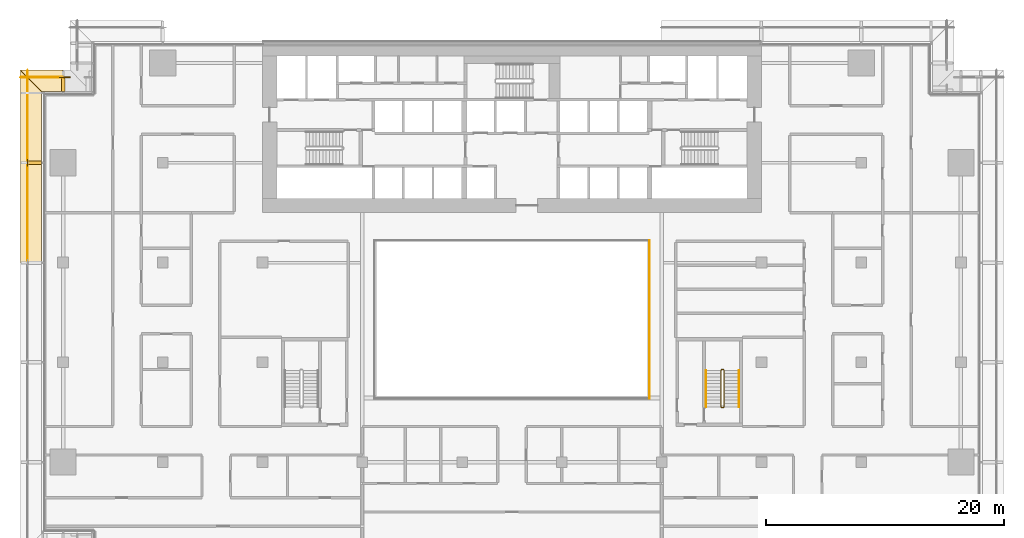
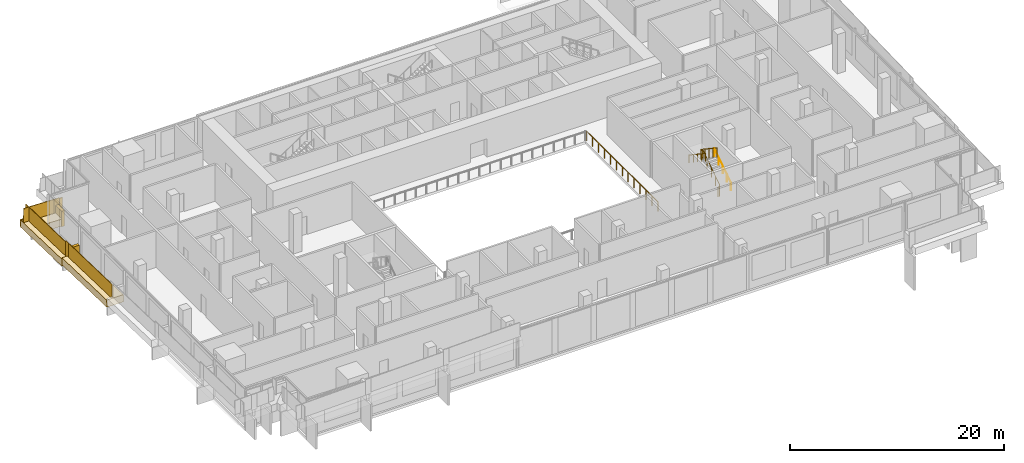
# One storey, part 21 of 23: 10 railings, 5 coverings.
"""IFC4 building model written with IfcOpenShell, lengths in metres."""

from ifc_helpers import new_model, si_unit, direction, frame, origin, origin_2d, place, context, subcontext, project, spatial, polyline, rectangle, circle, outline, extrude, material, layer, layer_set, type_object, element, save


model = new_model("IFC4")

# Units and contexts
model_context = context("Model", 3, precision=1e-05, world=origin(), true_north=direction((0.0, 1.0)))
body_context = subcontext(model_context, "Body", "Model", "MODEL_VIEW")
ifc_project = project(units=[si_unit("LENGTHUNIT", "METRE"), si_unit("AREAUNIT", "SQUARE_METRE"), si_unit("VOLUMEUNIT", "CUBIC_METRE"), si_unit("PLANEANGLEUNIT", "RADIAN"), si_unit("MASSUNIT", "GRAM", prefix="KILO")], contexts=[model_context])

# Site, building, storey
site_placement = place(None, origin())
site = spatial("IfcSite", under=ifc_project, at=site_placement, CompositionType="ELEMENT")
building_placement = place(site_placement, origin())
building = spatial("IfcBuilding", under=site, at=building_placement, Name="Saffron Gate Tower", CompositionType="ELEMENT")
storey_placement = place(building_placement, frame((0.0, 0.0, 23.699951171875)))
storey = spatial("IfcBuildingStorey", under=building, at=storey_placement, Name="L04", CompositionType="ELEMENT", Elevation=23.699951171875)

# Railings
ifc_material_1 = material(Name="Stainless steel and laminated glass", Category="steel")
railing_type_1 = type_object("IfcRailingType", Name="AG1 Atrium edge guard 1100", PredefinedType="GUARDRAIL", material=ifc_material_1)
railing_1_placement = place(storey_placement, frame((99.179931640625, 58.860107421875, 0.0)))
element("IfcRailing", 1, at=railing_1_placement, inside=storey, type_object=railing_type_1, Name="Guard S2-3", PredefinedType="GUARDRAIL", context=body_context, shape_type="SweptSolid", body=[
    extrude(circle(Radius=0.02392578125, at=origin_2d()), frame((0.0, 0.0, 1.076171875), z_axis=(0.0, -1.0, 0.0), x_axis=(1.0, 0.0, 0.0)), (0.0, 0.0, 1.0), 13.320068359375),
    extrude(circle(Radius=0.02099609375, at=origin_2d()), origin(), (0.0, 0.0, 1.0), 1.052001953125),
    extrude(circle(Radius=0.02099609375, at=origin_2d()), frame((0.0, -1.110107421875, 0.0)), (0.0, 0.0, 1.0), 1.052001953125),
    extrude(circle(Radius=0.02099609375, at=origin_2d()), frame((0.0, -2.219970703125, 0.0)), (0.0, 0.0, 1.0), 1.052001953125),
    extrude(circle(Radius=0.02099609375, at=origin_2d()), frame((0.0, -3.330078125, 0.0)), (0.0, 0.0, 1.0), 1.052001953125),
    extrude(circle(Radius=0.02099609375, at=origin_2d()), frame((0.0, -4.43994140625, 0.0)), (0.0, 0.0, 1.0), 1.052001953125),
    extrude(circle(Radius=0.02099609375, at=origin_2d()), frame((0.0, -5.550048828125, 0.0)), (0.0, 0.0, 1.0), 1.052001953125),
    extrude(circle(Radius=0.02099609375, at=origin_2d()), frame((0.0, -6.66015625, 0.0)), (0.0, 0.0, 1.0), 1.052001953125),
    extrude(circle(Radius=0.02099609375, at=origin_2d()), frame((0.0, -7.77001953125, 0.0)), (0.0, 0.0, 1.0), 1.052001953125),
    extrude(circle(Radius=0.02099609375, at=origin_2d()), frame((0.0, -8.880126953125, 0.0)), (0.0, 0.0, 1.0), 1.052001953125),
    extrude(circle(Radius=0.02099609375, at=origin_2d()), frame((0.0, -9.989990234375, 0.0)), (0.0, 0.0, 1.0), 1.052001953125),
    extrude(circle(Radius=0.02099609375, at=origin_2d()), frame((0.0, -11.10009765625, 0.0)), (0.0, 0.0, 1.0), 1.052001953125),
    extrude(circle(Radius=0.02099609375, at=origin_2d()), frame((0.0, -12.2099609375, 0.0)), (0.0, 0.0, 1.0), 1.052001953125),
    extrude(circle(Radius=0.02099609375, at=origin_2d()), frame((0.0, -13.320068359375, 0.0)), (0.0, 0.0, 1.0), 1.052001953125),
])
railing_type_2 = type_object("IfcRailingType", Name="CR1 Stair guard 1100", PredefinedType="GUARDRAIL", material=ifc_material_1)
railing_2_placement = place(storey_placement, frame((105.25, 44.800048828125, 0.0)))
element("IfcRailing", 2, at=railing_2_placement, inside=storey, type_object=railing_type_2, Name="L04 ST-E stair guard 1", PredefinedType="GUARDRAIL", context=body_context, shape_type="SweptSolid", body=[
    extrude(circle(Radius=0.02392578125, at=origin_2d()), frame((0.0, 0.0, 1.076171875), z_axis=(1.0, 0.0, 0.0), x_axis=(0.0, 1.0, 0.0)), (0.0, 0.0, 1.0), 0.14990234375),
    extrude(circle(Radius=0.02392578125, at=origin_2d()), frame((0.14990234375, 0.0, 1.076171875), z_axis=(0.249726431254, 0.249726431254, 0.935560483917), x_axis=(-0.707106781187, 0.707106781187, 0.0)), (0.0, 0.0, 1.0), 0.200439453125),
    extrude(circle(Radius=0.02392578125, at=origin_2d()), frame((0.199951171875, 0.050048828125, 1.263671875), z_axis=(0.0, 0.830893310487, 0.556431762742), x_axis=(-1.0, 0.0, 0.0)), (0.0, 0.0, 1.0), 3.70654296875),
    extrude(circle(Radius=0.02392578125, at=origin_2d()), frame((0.199951171875, 3.1298828125, 3.326171875), z_axis=(-0.707106781187, 0.707106781187, 0.0), x_axis=(-0.707106781187, -0.707106781187, 0.0)), (0.0, 0.0, 1.0), 0.07080078125),
    extrude(circle(Radius=0.02392578125, at=origin_2d()), frame((0.14990234375, 3.179931640625, 3.326171875), z_axis=(-1.0, 0.0, 0.0), x_axis=(0.0, -1.0, 0.0)), (0.0, 0.0, 1.0), 0.14990234375),
    extrude(circle(Radius=0.02392578125, at=origin_2d()), frame((0.0, 3.179931640625, 3.326171875), z_axis=(-0.249726431254, -0.249726431254, 0.935560483917), x_axis=(0.707106781187, -0.707106781187, 0.0)), (0.0, 0.0, 1.0), 0.200439453125),
    extrude(circle(Radius=0.02392578125, at=origin_2d()), frame((-0.050048828125, 3.1298828125, 3.513671875), z_axis=(0.0, -0.830893310487, 0.556431762742), x_axis=(1.0, 0.0, 0.0)), (0.0, 0.0, 1.0), 3.70654296875),
    extrude(circle(Radius=0.02099609375, at=origin_2d()), origin(), (0.0, 0.0, 1.0), 1.052001953125),
    extrude(circle(Radius=0.02099609375, at=origin_2d()), frame((0.14990234375, 0.0, 0.0)), (0.0, 0.0, 1.0), 1.052001953125),
    extrude(circle(Radius=0.02099609375, at=origin_2d()), frame((0.199951171875, 0.050048828125, 0.1875)), (0.0, 0.0, 1.0), 1.052001953125),
    extrude(circle(Radius=0.02099609375, at=origin_2d()), frame((0.199951171875, 0.820068359375, 0.703125)), (0.0, 0.0, 1.0), 1.052001953125),
    extrude(circle(Radius=0.02099609375, at=origin_2d()), frame((0.199951171875, 1.58984375, 1.21875)), (0.0, 0.0, 1.0), 1.052001953125),
    extrude(circle(Radius=0.02099609375, at=origin_2d()), frame((0.199951171875, 2.35986328125, 1.734375)), (0.0, 0.0, 1.0), 1.052001953125),
    extrude(circle(Radius=0.02099609375, at=origin_2d()), frame((0.199951171875, 3.1298828125, 2.25)), (0.0, 0.0, 1.0), 1.052001953125),
    extrude(circle(Radius=0.02099609375, at=origin_2d()), frame((0.14990234375, 3.179931640625, 2.25)), (0.0, 0.0, 1.0), 1.052001953125),
    extrude(circle(Radius=0.02099609375, at=origin_2d()), frame((0.0, 3.179931640625, 2.25)), (0.0, 0.0, 1.0), 1.052001953125),
    extrude(circle(Radius=0.02099609375, at=origin_2d()), frame((-0.050048828125, 3.1298828125, 2.4375)), (0.0, 0.0, 1.0), 1.052001953125),
    extrude(circle(Radius=0.02099609375, at=origin_2d()), frame((-0.050048828125, 2.35986328125, 2.953125)), (0.0, 0.0, 1.0), 1.052001953125),
    extrude(circle(Radius=0.02099609375, at=origin_2d()), frame((-0.050048828125, 1.58984375, 3.46875)), (0.0, 0.0, 1.0), 1.052001953125),
    extrude(circle(Radius=0.02099609375, at=origin_2d()), frame((-0.050048828125, 0.820068359375, 3.984375)), (0.0, 0.0, 1.0), 1.052001953125),
    extrude(circle(Radius=0.02099609375, at=origin_2d()), frame((-0.050048828125, 0.050048828125, 4.5)), (0.0, 0.0, 1.0), 1.052001953125),
])
ifc_material_2 = material(Name="Stainless steel", Category="steel")
railing_type_3 = type_object("IfcRailingType", Name="CR2 Stair handrail 900", PredefinedType="HANDRAIL", material=ifc_material_2)
railing_3_placement = place(storey_placement, frame((106.699951171875, 44.85009765625, 0.1875)))
element("IfcRailing", 3, at=railing_3_placement, inside=storey, type_object=railing_type_3, Name="L04 ST-E stair handrail 1", PredefinedType="HANDRAIL", context=body_context, shape_type="SweptSolid", body=[
    extrude(circle(Radius=0.02392578125, at=origin_2d()), frame((0.0, 0.0, 0.8759765625), z_axis=(0.0, 0.830893310487, 0.556431762742), x_axis=(-1.0, 0.0, 0.0)), (0.0, 0.0, 1.0), 3.70654296875),
    extrude(circle(Radius=0.02099609375, at=origin_2d()), origin(), (0.0, 0.0, 1.0), 0.851806640625),
    extrude(circle(Radius=0.02099609375, at=origin_2d()), frame((0.0, 0.77001953125, 0.515625)), (0.0, 0.0, 1.0), 0.851806640625),
    extrude(circle(Radius=0.02099609375, at=origin_2d()), frame((0.0, 1.5400390625, 1.03125)), (0.0, 0.0, 1.0), 0.851806640625),
    extrude(circle(Radius=0.02099609375, at=origin_2d()), frame((0.0, 2.309814453125, 1.546875)), (0.0, 0.0, 1.0), 0.851806640625),
    extrude(circle(Radius=0.02099609375, at=origin_2d()), frame((0.0, 3.079833984375, 2.0625)), (0.0, 0.0, 1.0), 0.851806640625),
])
railing_4_placement = place(storey_placement, frame((103.949951171875, 47.929931640625, 2.4375)))
element("IfcRailing", 4, at=railing_4_placement, inside=storey, type_object=railing_type_3, Name="L04 ST-E stair handrail 2", PredefinedType="HANDRAIL", context=body_context, shape_type="SweptSolid", body=[
    extrude(circle(Radius=0.02392578125, at=origin_2d()), frame((0.0, 0.0, 0.8759765625), z_axis=(0.0, -0.830893310487, 0.556431762742), x_axis=(1.0, 0.0, 0.0)), (0.0, 0.0, 1.0), 3.70654296875),
    extrude(circle(Radius=0.02099609375, at=origin_2d()), origin(), (0.0, 0.0, 1.0), 0.851806640625),
    extrude(circle(Radius=0.02099609375, at=origin_2d()), frame((0.0, -0.77001953125, 0.515625)), (0.0, 0.0, 1.0), 0.851806640625),
    extrude(circle(Radius=0.02099609375, at=origin_2d()), frame((0.0, -1.5400390625, 1.03125)), (0.0, 0.0, 1.0), 0.851806640625),
    extrude(circle(Radius=0.02099609375, at=origin_2d()), frame((0.0, -2.309814453125, 1.546875)), (0.0, 0.0, 1.0), 0.851806640625),
    extrude(circle(Radius=0.02099609375, at=origin_2d()), frame((0.0, -3.079833984375, 2.0625)), (0.0, 0.0, 1.0), 0.851806640625),
])

# Coverings
ifc_material_3 = material(Name="Timber, thermally modified ash", Category="wood")
ifc_layer_1 = layer(ifc_material_3, 0.800048828125)
ifc_layer_set_1 = layer_set([ifc_layer_1], Name="LD1 ledge timber")
covering_type_1 = type_object("IfcCoveringType", Name="LD1 ledge timber", PredefinedType="CLADDING", material=ifc_layer_set_1)
covering_1_placement = place(storey_placement, frame((49.800048828125, 71.39990234375, 0.75927734375), z_axis=(0.028831989003, 4.5191205e-05, 0.999584270769), x_axis=(-0.999584271789, -2.041e-09, 0.028831989032)))
element("IfcCovering", 5, at=covering_1_placement, inside=storey, type_object=covering_type_1, Name="LEDGE", PredefinedType="CLADDING", context=body_context, shape_type="SweptSolid", body=[
    extrude(outline(polyline([(0.0, 0.0), (1.8007998167885757, 0.0), (3.6015925908427215, -1.800048837315338), (-3.6746077267916745e-09, -1.80004882628693), (0.0, 0.0)])), origin(), (0.0, 0.0, -1.0), 0.800048828125),
])
covering_2_placement = place(storey_placement, frame((48.0, 71.39990234375, 0.86083984375), z_axis=(-3.5027307e-05, 0.028807146299, 0.99958498743), x_axis=(-3.68e-10, -0.999584988043, 0.028807146316)))
element("IfcCovering", 6, at=covering_2_placement, inside=storey, type_object=covering_type_1, Name="LEDGE", PredefinedType="CLADDING", context=body_context, shape_type="SweptSolid", body=[
    extrude(outline(polyline([(0.0, 0.0), (6.0024892885105, 2.541098841762901e-21), (6.002489289172793, -1.8000488270207489), (-1.800799813548424, -1.8000488321003227), (0.0, 0.0)])), origin(), (0.0, 0.0, -1.0), 0.800048828125),
])
covering_3_placement = place(storey_placement, frame((48.0, 65.39990234375, 1.19873046875), z_axis=(0.0, 0.028791175352, 0.999585448184), x_axis=(0.0, -0.999585448184, 0.028791175352)))
element("IfcCovering", 7, at=covering_3_placement, inside=storey, type_object=covering_type_1, Name="LEDGE", PredefinedType="CLADDING", context=body_context, shape_type="SweptSolid", body=[
    extrude(outline(polyline([(0.0, 0.0), (8.403385982666892, 0.0), (8.403385982666892, -1.800048828125), (0.0, -1.800048828125), (0.0, 0.0)])), origin(), (0.0, 0.0, -1.0), 0.800048828125),
])
ifc_layer_2 = layer(ifc_material_3, 0.300048828125)
ifc_layer_set_2 = layer_set([ifc_layer_2], Name="LD3 ledge riser fin")
covering_type_2 = type_object("IfcCoveringType", Name="LD3 ledge riser fin", PredefinedType="CLADDING", material=ifc_layer_set_2)
covering_4_placement = place(storey_placement, frame((49.800048828125, 71.9599609375, -0.106689453125), z_axis=(0.0, 0.0, 1.0), x_axis=(-1.0, 0.0, 0.0)))
element("IfcCovering", 8, at=covering_4_placement, inside=storey, type_object=covering_type_2, Name="LEDGE riser fin", PredefinedType="CLADDING", context=body_context, shape_type="SweptSolid", body=[
    extrude(rectangle(XDim=0.300048828125, YDim=1.1201171875, at=origin_2d()), origin(), (0.0, 0.0, 1.0), 1.76611328125),
])
covering_5_placement = place(storey_placement, frame((47.43994140625, 65.39990234375, 0.23388671875), z_axis=(0.0, 0.0, 1.0), x_axis=(0.0, -1.0, 0.0)))
element("IfcCovering", 9, at=covering_5_placement, inside=storey, type_object=covering_type_2, Name="LEDGE riser fin", PredefinedType="CLADDING", context=body_context, shape_type="SweptSolid", body=[
    extrude(rectangle(XDim=0.300048828125, YDim=1.1201171875, at=origin_2d()), origin(), (0.0, 0.0, 1.0), 1.864990234375),
])

# Railings
railing_type_4 = type_object("IfcRailingType", Name="LG1 ledge balustrade", PredefinedType="BALUSTRADE", material=ifc_material_3)
railing_5_placement = place(storey_placement, frame((50.39990234375, 72.60009765625, 0.676025390625)))
element("IfcRailing", 10, at=railing_5_placement, inside=storey, type_object=railing_type_4, Name="LEDGE BALUSTRADE", PredefinedType="BALUSTRADE", context=body_context, shape_type="SweptSolid", body=[
    extrude(rectangle(XDim=0.06005859375, YDim=1.60009765625, at=origin_2d()), frame((0.0, 0.0, 0.800048828125), z_axis=(-0.999582742162, 0.0, 0.028884971385), x_axis=(0.0, -1.0, 0.0)), (0.0, 0.0, 1.0), 0.60009765625),
])
railing_6_placement = place(storey_placement, frame((49.800048828125, 72.60009765625, 0.75927734375)))
element("IfcRailing", 11, at=railing_6_placement, inside=storey, type_object=railing_type_4, Name="LEDGE BALUSTRADE", PredefinedType="BALUSTRADE", context=body_context, shape_type="SweptSolid", body=[
    extrude(rectangle(XDim=0.06005859375, YDim=1.60009765625, at=origin_2d()), frame((0.0, 0.0, 0.800048828125), z_axis=(-0.99958492274, 0.0, 0.028809412191), x_axis=(0.0, -1.0, 0.0)), (0.0, 0.0, 1.0), 3.6015625),
])
railing_7_placement = place(storey_placement, frame((50.10009765625, 72.60009765625, 0.693359375)))
element("IfcRailing", 12, at=railing_7_placement, inside=storey, type_object=railing_type_4, Name="LEDGE BALUSTRADE", PredefinedType="BALUSTRADE", context=body_context, shape_type="SweptSolid", body=[
    extrude(rectangle(XDim=0.06005859375, YDim=1.666015625, at=origin_2d()), frame((0.0, 0.0, 0.8330078125), z_axis=(-1.0, 0.0, 0.0), x_axis=(0.0, -1.0, 0.0)), (0.0, 0.0, 1.0), 0.60009765625),
])
railing_8_placement = place(storey_placement, frame((46.800048828125, 73.199951171875, 0.808837890625)))
element("IfcRailing", 13, at=railing_8_placement, inside=storey, type_object=railing_type_4, Name="LEDGE BALUSTRADE", PredefinedType="BALUSTRADE", context=body_context, shape_type="SweptSolid", body=[
    extrude(rectangle(XDim=0.06005859375, YDim=1.60009765625, at=origin_2d()), frame((0.0, 0.0, 0.800048828125), z_axis=(0.0, -0.999584755248, 0.028815222999), x_axis=(1.0, 0.0, 0.0)), (0.0, 0.0, 1.0), 7.80322265625),
])
railing_9_placement = place(storey_placement, frame((46.800048828125, 65.39990234375, 1.19873046875)))
element("IfcRailing", 14, at=railing_9_placement, inside=storey, type_object=railing_type_4, Name="LEDGE BALUSTRADE", PredefinedType="BALUSTRADE", context=body_context, shape_type="SweptSolid", body=[
    extrude(rectangle(XDim=0.06005859375, YDim=1.60009765625, at=origin_2d()), frame((0.0, 0.0, 0.800048828125), z_axis=(0.0, -0.999585448184, 0.028791175352), x_axis=(1.0, 0.0, 0.0)), (0.0, 0.0, 1.0), 8.4033203125),
])
railing_10_placement = place(storey_placement, frame((46.800048828125, 65.699951171875, 1.03369140625)))
element("IfcRailing", 15, at=railing_10_placement, inside=storey, type_object=railing_type_4, Name="LEDGE BALUSTRADE", PredefinedType="BALUSTRADE", context=body_context, shape_type="SweptSolid", body=[
    extrude(rectangle(XDim=0.06005859375, YDim=1.76513671875, at=origin_2d()), frame((0.0, 0.0, 0.882568359375), z_axis=(0.0, -1.0, 0.0), x_axis=(1.0, 0.0, 0.0)), (0.0, 0.0, 1.0), 0.599853515625),
])

save(model, "model.ifc")
